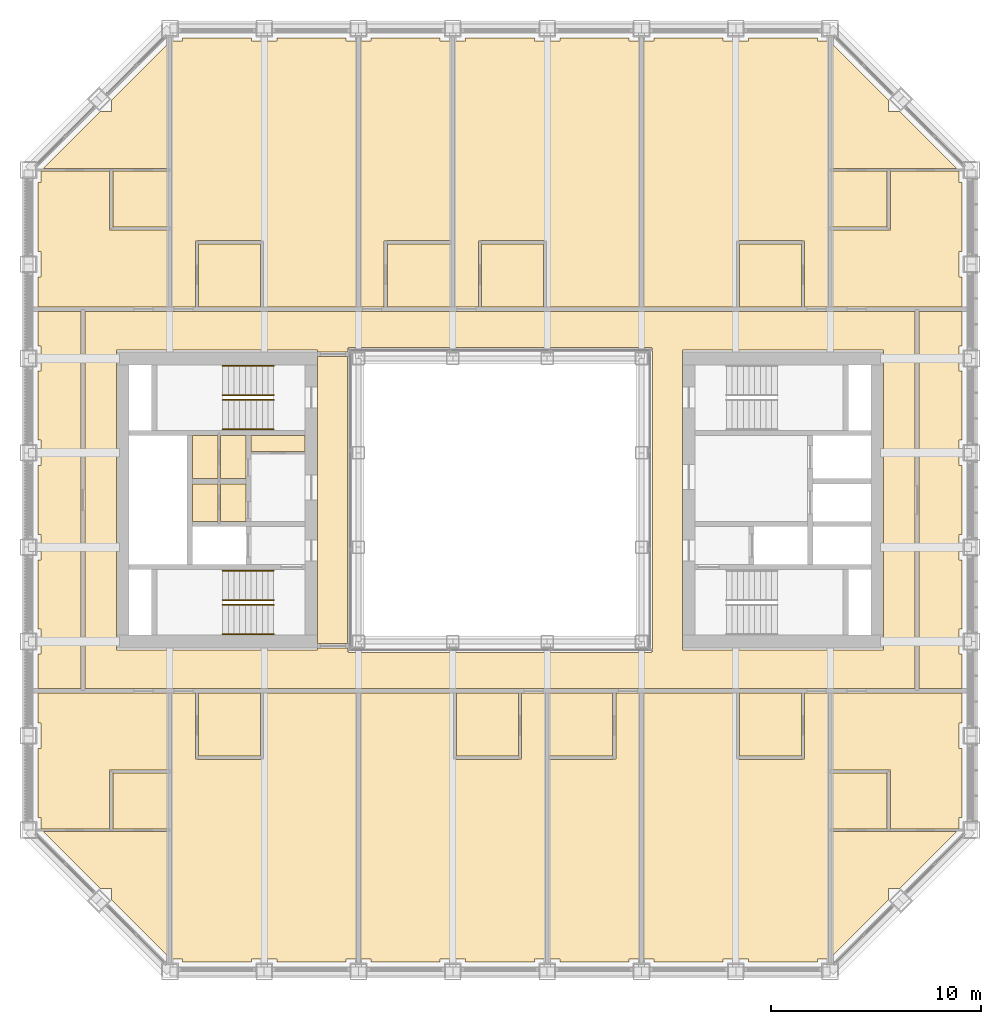
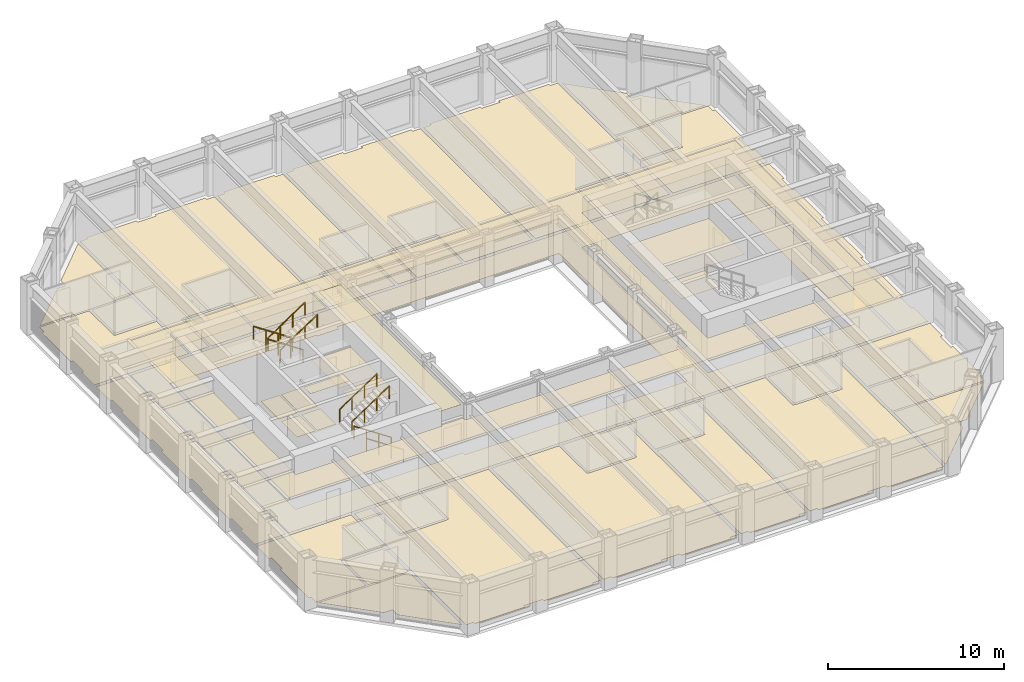
# One storey, part 15 of 17: 8 railings, 6 coverings.
"""IFC4 building model written with IfcOpenShell, lengths in metres."""

from ifc_helpers import new_model, si_unit, direction, frame, origin, origin_2d, place, context, subcontext, project, spatial, line, indexed_curve, circle, outline, extrude, material, layer, layer_set, type_object, element, save


model = new_model("IFC4")

# Units and contexts
model_context = context("Model", 3, precision=1e-05, world=origin(), true_north=direction((0.0, 1.0)))
body_context = subcontext(model_context, "Body", "Model", "MODEL_VIEW")
ifc_project = project(units=[si_unit("LENGTHUNIT", "METRE"), si_unit("AREAUNIT", "SQUARE_METRE"), si_unit("VOLUMEUNIT", "CUBIC_METRE"), si_unit("PLANEANGLEUNIT", "RADIAN"), si_unit("MASSUNIT", "GRAM", prefix="KILO")], contexts=[model_context])

# Site, building, storey
site_placement = place(None, origin())
site = spatial("IfcSite", under=ifc_project, at=site_placement, CompositionType="ELEMENT")
building_placement = place(site_placement, origin())
building = spatial("IfcBuilding", under=site, at=building_placement, Name="Msasa Ring Tower", CompositionType="ELEMENT")
storey_placement = place(building_placement, frame((0.0, 0.0, 161.60009765625)))
storey = spatial("IfcBuildingStorey", under=building, at=storey_placement, Name="L42", CompositionType="ELEMENT", Elevation=161.60009765625)

# Coverings
ifc_material_1 = material(Name="Gypsum plasterboard on a steel suspension grid", Category="steel")
ifc_layer_1 = layer(ifc_material_1, 0.014892578125)
ifc_layer_set_1 = layer_set([ifc_layer_1], Name="C1 SUSPENDED PLASTERBOARD CEILING 15")
covering_type_1 = type_object("IfcCoveringType", Name="C1 SUSPENDED PLASTERBOARD CEILING 15", PredefinedType="CEILING", material=ifc_layer_set_1)
covering_1_placement = place(storey_placement, frame((0.0, 0.0, 2.39990234375)))
element("IfcCovering", 1, at=covering_1_placement, inside=storey, type_object=covering_type_1, Name="Suspended Plasterboard Ceiling 15 circulation L42", PredefinedType="CEILING", context=body_context, shape_type="SweptSolid", body=[
    extrude(outline(indexed_curve([(-19.799560546875, -8.99951171875), (-19.799560546875, 8.99951171875), (19.799560546875, 8.99951171875), (19.799560546875, -8.99951171875)], segments=[line(1, 2, 3, 4, 1)], self_intersect=False), holes=[indexed_curve([(18.300537109375, -7.150390625), (18.300537109375, 7.150390625), (8.699462890625, 7.150390625), (8.699462890625, -7.150390625)], segments=[line(1, 2, 3, 4, 1)], self_intersect=False), indexed_curve([(-8.699462890625, 7.150390625), (-18.300537109375, 7.150390625), (-18.300537109375, -7.150390625), (-8.699462890625, -7.150390625), (-8.699462890625, -7.050537109375), (-7.280029296875, -7.050537109375), (-7.280517578125, -7.23046875), (-7.22998046875, -7.23046875), (-7.22998046875, -7.280029296875), (7.22998046875, -7.280029296875), (7.22998046875, -7.23046875), (7.280517578125, -7.23046875), (7.280517578125, 7.23046875), (7.22998046875, 7.23046875), (7.22998046875, 7.280029296875), (-7.22998046875, 7.280029296875), (-7.22998046875, 7.23046875), (-7.280517578125, 7.23046875), (-7.280029296875, 7.050537109375), (-8.699462890625, 7.050537109375)], segments=[line(1, 2, 3, 4, 5, 6, 7, 8, 9, 10, 11, 12, 13, 14, 15, 16, 17, 18, 19, 20, 1)], self_intersect=False)]), origin(), (0.0, 0.0, 1.0), 0.014892578125),
    extrude(outline(indexed_curve([(-9.300537109375, -3.074462890625), (-11.87451171875, -3.074462890625), (-11.87451171875, -1.275390625), (-9.300537109375, -1.275390625)], segments=[line(1, 2, 3, 4, 1)], self_intersect=False)), origin(), (0.0, 0.0, 1.0), 0.014892578125),
    extrude(outline(indexed_curve([(-11.87451171875, -1.0244140625), (-11.87451171875, 2.194580078125), (-9.300537109375, 2.194580078125), (-9.300537109375, -1.0244140625)], segments=[line(1, 2, 3, 4, 1)], self_intersect=False)), origin(), (0.0, 0.0, 1.0), 0.014892578125),
    extrude(outline(indexed_curve([(11.87451171875, -3.074462890625), (9.300537109375, -3.074462890625), (9.300537109375, -1.275390625), (11.87451171875, -1.275390625)], segments=[line(1, 2, 3, 4, 1)], self_intersect=False)), origin(), (0.0, 0.0, 1.0), 0.014892578125),
    extrude(outline(indexed_curve([(9.300537109375, -1.0244140625), (9.300537109375, 3.074462890625), (14.674560546875, 3.074462890625), (14.674560546875, -1.0244140625)], segments=[line(1, 2, 3, 4, 1)], self_intersect=False)), origin(), (0.0, 0.0, 1.0), 0.014892578125),
])
covering_2_placement = place(storey_placement, frame((0.0, 0.0, 3.199951171875)))
element("IfcCovering", 2, at=covering_2_placement, inside=storey, type_object=covering_type_1, Name="Suspended Plasterboard Ceiling 15 public rooms L42", PredefinedType="CEILING", context=body_context, shape_type="SweptSolid", body=[
    extrude(outline(indexed_curve([(-8.699462890625, 6.849609375), (-7.280029296875, 6.849609375), (-7.280029296875, -6.849609375), (-8.699462890625, -6.849609375)], segments=[line(1, 2, 3, 4, 1)], self_intersect=False)), origin(), (0.0, 0.0, 1.0), 0.014892578125),
])
ifc_material_2 = material(Name="Wool-blend carpet on felt underlay", Category="textile")
ifc_layer_2 = layer(ifc_material_2, 0.011962890625)
ifc_layer_set_2 = layer_set([ifc_layer_2], Name="F2 CARPET ON UNDERLAY 12")
covering_type_2 = type_object("IfcCoveringType", Name="F2 CARPET ON UNDERLAY 12", PredefinedType="FLOORING", material=ifc_layer_set_2)
covering_3_placement = place(storey_placement, origin())
element("IfcCovering", 3, at=covering_3_placement, inside=storey, type_object=covering_type_2, Name="Carpet On Underlay 12 L42", PredefinedType="FLOORING", context=body_context, shape_type="SweptSolid", body=[
    extrude(outline(indexed_curve([(-22.049560546875, -11.8505859375), (-21.8994140625, -11.8505859375), (-21.8994140625, -10.6494140625), (-22.049560546875, -10.6494140625), (-22.049560546875, -9.200439453125), (-15.8505859375, -9.200439453125), (-15.8505859375, -12.869384765625), (-18.630615234375, -12.869384765625), (-18.630615234375, -15.694580078125), (-21.8994140625, -15.694580078125), (-21.8994140625, -15.1494140625), (-22.049560546875, -15.1494140625)], segments=[line(1, 2, 3, 4, 5, 6, 7, 8, 9, 10, 11, 12, 1)], self_intersect=False)), origin(), (0.0, 0.0, 1.0), 0.011962890625),
    extrude(outline(indexed_curve([(-15.8505859375, 9.200439453125), (-22.049560546875, 9.200439453125), (-22.049560546875, 10.6494140625), (-21.8994140625, 10.6494140625), (-21.8994140625, 11.8505859375), (-22.049560546875, 11.8505859375), (-22.049560546875, 15.1494140625), (-21.8994140625, 15.1494140625), (-21.8994140625, 15.694580078125), (-18.630615234375, 15.694580078125), (-18.630615234375, 12.869384765625), (-15.8505859375, 12.869384765625)], segments=[line(1, 2, 3, 4, 5, 6, 7, 8, 9, 10, 11, 12, 1)], self_intersect=False)), origin(), (0.0, 0.0, 1.0), 0.011962890625),
    extrude(outline(indexed_curve([(-15.8505859375, -15.805419921875), (-15.8505859375, -21.762451171875), (-18.5244140625, -19.08837890625), (-18.5244140625, -18.5244140625), (-19.08837890625, -18.5244140625), (-21.807373046875, -15.805419921875)], segments=[line(1, 2, 3, 4, 5, 6, 1)], self_intersect=False)), origin(), (0.0, 0.0, 1.0), 0.011962890625),
    extrude(outline(indexed_curve([(-15.8505859375, 15.805419921875), (-21.807373046875, 15.805419921875), (-19.08837890625, 18.5244140625), (-18.5244140625, 18.5244140625), (-18.5244140625, 19.08837890625), (-15.8505859375, 21.762451171875)], segments=[line(1, 2, 3, 4, 5, 6, 1)], self_intersect=False)), origin(), (0.0, 0.0, 1.0), 0.011962890625),
    extrude(outline(indexed_curve([(-19.799560546875, -8.99951171875), (-19.799560546875, 8.99951171875), (19.799560546875, 8.99951171875), (19.799560546875, -8.99951171875)], segments=[line(1, 2, 3, 4, 1)], self_intersect=False), holes=[indexed_curve([(8.699462890625, -7.150390625), (18.300537109375, -7.150390625), (18.300537109375, 7.150390625), (8.699462890625, 7.150390625)], segments=[line(1, 2, 3, 4, 1)], self_intersect=False), indexed_curve([(-8.699462890625, 7.150390625), (-18.300537109375, 7.150390625), (-18.300537109375, -7.150390625), (-8.699462890625, -7.150390625), (-8.699462890625, -7.050537109375), (-7.280029296875, -7.050537109375), (-7.280517578125, -7.23046875), (-7.22998046875, -7.23046875), (-7.22998046875, -7.280029296875), (7.22998046875, -7.280029296875), (7.22998046875, -7.23046875), (7.280517578125, -7.23046875), (7.280517578125, 7.23046875), (7.22998046875, 7.23046875), (7.22998046875, 7.280029296875), (-7.22998046875, 7.280029296875), (-7.22998046875, 7.23046875), (-7.280517578125, 7.23046875), (-7.280029296875, 7.050537109375), (-8.699462890625, 7.050537109375)], segments=[line(1, 2, 3, 4, 5, 6, 7, 8, 9, 10, 11, 12, 13, 14, 15, 16, 17, 18, 19, 20, 1)], self_intersect=False)]), origin(), (0.0, 0.0, 1.0), 0.011962890625),
    extrude(outline(indexed_curve([(-13.45556640625, -1.0244140625), (-14.674560546875, -1.0244140625), (-14.674560546875, 0.7744140625), (-13.45556640625, 0.7744140625)], segments=[line(1, 2, 3, 4, 1)], self_intersect=False)), origin(), (0.0, 0.0, 1.0), 0.011962890625),
    extrude(outline(indexed_curve([(-13.45556640625, 3.074462890625), (-13.45556640625, 1.025390625), (-14.674560546875, 1.025390625), (-14.674560546875, 3.074462890625)], segments=[line(1, 2, 3, 4, 1)], self_intersect=False)), origin(), (0.0, 0.0, 1.0), 0.011962890625),
    extrude(outline(indexed_curve([(-12.12548828125, -1.0244140625), (-13.344482421875, -1.0244140625), (-13.344482421875, 0.7744140625), (-12.12548828125, 0.7744140625)], segments=[line(1, 2, 3, 4, 1)], self_intersect=False)), origin(), (0.0, 0.0, 1.0), 0.011962890625),
    extrude(outline(indexed_curve([(-12.12548828125, 3.074462890625), (-12.12548828125, 1.025390625), (-13.344482421875, 1.025390625), (-13.344482421875, 3.074462890625)], segments=[line(1, 2, 3, 4, 1)], self_intersect=False)), origin(), (0.0, 0.0, 1.0), 0.011962890625),
    extrude(outline(indexed_curve([(-9.300537109375, 3.074462890625), (-9.300537109375, 2.305419921875), (-11.87451171875, 2.305419921875), (-11.87451171875, 3.074462890625)], segments=[line(1, 2, 3, 4, 1)], self_intersect=False)), origin(), (0.0, 0.0, 1.0), 0.011962890625),
    extrude(outline(indexed_curve([(-6.6494140625, 21.8994140625), (-6.1494140625, 21.8994140625), (-6.1494140625, 22.049560546875), (-2.8505859375, 22.049560546875), (-2.8505859375, 21.8994140625), (-2.3505859375, 21.8994140625), (-2.3505859375, 12.37548828125), (-5.39990234375, 12.37548828125), (-5.39990234375, 12.3505859375), (-5.525390625, 12.35009765625), (-5.525390625, 9.200439453125), (-6.6494140625, 9.200439453125)], segments=[line(1, 2, 3, 4, 5, 6, 7, 8, 9, 10, 11, 12, 1)], self_intersect=False)), origin(), (0.0, 0.0, 1.0), 0.011962890625),
    extrude(outline(indexed_curve([(6.6494140625, -21.8994140625), (6.1494140625, -21.8994140625), (6.1494140625, -22.049560546875), (2.8505859375, -22.049560546875), (2.8505859375, -21.8994140625), (2.3505859375, -21.8994140625), (2.3505859375, -12.37548828125), (5.39990234375, -12.37548828125), (5.39990234375, -12.3505859375), (5.525390625, -12.35009765625), (5.525390625, -9.200439453125), (6.6494140625, -9.200439453125)], segments=[line(1, 2, 3, 4, 5, 6, 7, 8, 9, 10, 11, 12, 1)], self_intersect=False)), origin(), (0.0, 0.0, 1.0), 0.011962890625),
    extrude(outline(indexed_curve([(15.8505859375, -15.805419921875), (21.807373046875, -15.805419921875), (19.08837890625, -18.5244140625), (18.5244140625, -18.5244140625), (18.5244140625, -19.08837890625), (15.8505859375, -21.762451171875)], segments=[line(1, 2, 3, 4, 5, 6, 1)], self_intersect=False)), origin(), (0.0, 0.0, 1.0), 0.011962890625),
    extrude(outline(indexed_curve([(15.8505859375, -9.200439453125), (22.049560546875, -9.200439453125), (22.049560546875, -10.6494140625), (21.8994140625, -10.6494140625), (21.8994140625, -11.8505859375), (22.049560546875, -11.8505859375), (22.049560546875, -15.1494140625), (21.8994140625, -15.1494140625), (21.8994140625, -15.694580078125), (18.630615234375, -15.694580078125), (18.630615234375, -12.869384765625), (15.8505859375, -12.869384765625)], segments=[line(1, 2, 3, 4, 5, 6, 7, 8, 9, 10, 11, 12, 1)], self_intersect=False)), origin(), (0.0, 0.0, 1.0), 0.011962890625),
    extrude(outline(indexed_curve([(22.049560546875, 11.8505859375), (21.8994140625, 11.8505859375), (21.8994140625, 10.6494140625), (22.049560546875, 10.6494140625), (22.049560546875, 9.200439453125), (15.8505859375, 9.200439453125), (15.8505859375, 12.869384765625), (18.630615234375, 12.869384765625), (18.630615234375, 15.694580078125), (21.8994140625, 15.694580078125), (21.8994140625, 15.1494140625), (22.049560546875, 15.1494140625)], segments=[line(1, 2, 3, 4, 5, 6, 7, 8, 9, 10, 11, 12, 1)], self_intersect=False)), origin(), (0.0, 0.0, 1.0), 0.011962890625),
    extrude(outline(indexed_curve([(15.8505859375, 15.805419921875), (15.8505859375, 21.762451171875), (18.5244140625, 19.08837890625), (18.5244140625, 18.5244140625), (19.08837890625, 18.5244140625), (21.807373046875, 15.805419921875)], segments=[line(1, 2, 3, 4, 5, 6, 1)], self_intersect=False)), origin(), (0.0, 0.0, 1.0), 0.011962890625),
])
ifc_material_3 = material(Name="Engineered oak boards on an acoustic underlay", Category="wood")
ifc_layer_3 = layer(ifc_material_3, 0.01806640625)
ifc_layer_set_3 = layer_set([ifc_layer_3], Name="F3 ENGINEERED TIMBER ON ACOUSTIC UNDERLAY 18")
covering_type_3 = type_object("IfcCoveringType", Name="F3 ENGINEERED TIMBER ON ACOUSTIC UNDERLAY 18", PredefinedType="FLOORING", material=ifc_layer_set_3)
covering_4_placement = place(storey_placement, origin())
element("IfcCovering", 4, at=covering_4_placement, inside=storey, type_object=covering_type_3, Name="Engineered Timber On Acoustic Underlay 18 L42", PredefinedType="FLOORING", context=body_context, shape_type="SweptSolid", body=[
    extrude(outline(indexed_curve([(-14.525390625, -9.200439453125), (-14.525390625, -12.35009765625), (-14.39990234375, -12.3505859375), (-14.39990234375, -12.37548828125), (-11.39990234375, -12.37548828125), (-11.39990234375, -12.3505859375), (-11.2744140625, -12.35009765625), (-11.2744140625, -9.200439453125), (-6.8505859375, -9.200439453125), (-6.8505859375, -21.8994140625), (-7.3505859375, -21.8994140625), (-7.3505859375, -22.049560546875), (-10.6494140625, -22.049560546875), (-10.6494140625, -21.8994140625), (-11.8505859375, -21.8994140625), (-11.8505859375, -22.049560546875), (-15.1494140625, -22.049560546875), (-15.1494140625, -21.8994140625), (-15.6494140625, -21.8994140625), (-15.6494140625, -9.200439453125)], segments=[line(1, 2, 3, 4, 5, 6, 7, 8, 9, 10, 11, 12, 13, 14, 15, 16, 17, 18, 19, 20, 1)], self_intersect=False)), origin(), (0.0, 0.0, 1.0), 0.017822265625),
    extrude(outline(indexed_curve([(-11.2744140625, 9.200439453125), (-11.2744140625, 12.35009765625), (-11.39990234375, 12.3505859375), (-11.39990234375, 12.37548828125), (-14.39990234375, 12.37548828125), (-14.39990234375, 12.3505859375), (-14.525390625, 12.35009765625), (-14.525390625, 9.200439453125), (-15.6494140625, 9.200439453125), (-15.6494140625, 21.8994140625), (-15.1494140625, 21.8994140625), (-15.1494140625, 22.049560546875), (-11.8505859375, 22.049560546875), (-11.8505859375, 21.8994140625), (-10.6494140625, 21.8994140625), (-10.6494140625, 22.049560546875), (-7.3505859375, 22.049560546875), (-7.3505859375, 21.8994140625), (-6.8505859375, 21.8994140625), (-6.8505859375, 9.200439453125)], segments=[line(1, 2, 3, 4, 5, 6, 7, 8, 9, 10, 11, 12, 13, 14, 15, 16, 17, 18, 19, 20, 1)], self_intersect=False)), origin(), (0.0, 0.0, 1.0), 0.017822265625),
    extrude(outline(indexed_curve([(-2.10009765625, -12.3505859375), (-2.10009765625, -12.37548828125), (0.89990234375, -12.37548828125), (0.89990234375, -12.3505859375), (1.025390625, -12.35009765625), (1.025390625, -9.200439453125), (2.1494140625, -9.200439453125), (2.1494140625, -21.8994140625), (1.6494140625, -21.8994140625), (1.6494140625, -22.049560546875), (-1.6494140625, -22.049560546875), (-1.6494140625, -21.8994140625), (-2.8505859375, -21.8994140625), (-2.8505859375, -22.049560546875), (-6.1494140625, -22.049560546875), (-6.1494140625, -21.8994140625), (-6.6494140625, -21.8994140625), (-6.6494140625, -9.200439453125), (-2.2255859375, -9.200439453125), (-2.2255859375, -12.35009765625)], segments=[line(1, 2, 3, 4, 5, 6, 7, 8, 9, 10, 11, 12, 13, 14, 15, 16, 17, 18, 19, 20, 1)], self_intersect=False)), origin(), (0.0, 0.0, 1.0), 0.017822265625),
    extrude(outline(indexed_curve([(2.10009765625, 12.3505859375), (2.10009765625, 12.37548828125), (-0.89990234375, 12.37548828125), (-0.89990234375, 12.3505859375), (-1.025390625, 12.35009765625), (-1.025390625, 9.200439453125), (-2.1494140625, 9.200439453125), (-2.1494140625, 21.8994140625), (-1.6494140625, 21.8994140625), (-1.6494140625, 22.049560546875), (1.6494140625, 22.049560546875), (1.6494140625, 21.8994140625), (2.8505859375, 21.8994140625), (2.8505859375, 22.049560546875), (6.1494140625, 22.049560546875), (6.1494140625, 21.8994140625), (6.6494140625, 21.8994140625), (6.6494140625, 9.200439453125), (2.2255859375, 9.200439453125), (2.2255859375, 12.35009765625)], segments=[line(1, 2, 3, 4, 5, 6, 7, 8, 9, 10, 11, 12, 13, 14, 15, 16, 17, 18, 19, 20, 1)], self_intersect=False)), origin(), (0.0, 0.0, 1.0), 0.017822265625),
    extrude(outline(indexed_curve([(11.2744140625, -12.35009765625), (11.39990234375, -12.3505859375), (11.39990234375, -12.37548828125), (14.39990234375, -12.37548828125), (14.39990234375, -12.3505859375), (14.525390625, -12.35009765625), (14.525390625, -9.200439453125), (15.6494140625, -9.200439453125), (15.6494140625, -21.8994140625), (15.1494140625, -21.8994140625), (15.1494140625, -22.049560546875), (11.8505859375, -22.049560546875), (11.8505859375, -21.8994140625), (10.6494140625, -21.8994140625), (10.6494140625, -22.049560546875), (7.3505859375, -22.049560546875), (7.3505859375, -21.8994140625), (6.8505859375, -21.8994140625), (6.8505859375, -9.200439453125), (11.2744140625, -9.200439453125)], segments=[line(1, 2, 3, 4, 5, 6, 7, 8, 9, 10, 11, 12, 13, 14, 15, 16, 17, 18, 19, 20, 1)], self_intersect=False)), origin(), (0.0, 0.0, 1.0), 0.017822265625),
    extrude(outline(indexed_curve([(14.525390625, 12.35009765625), (14.39990234375, 12.3505859375), (14.39990234375, 12.37548828125), (11.39990234375, 12.37548828125), (11.39990234375, 12.3505859375), (11.2744140625, 12.35009765625), (11.2744140625, 9.200439453125), (6.8505859375, 9.200439453125), (6.8505859375, 21.8994140625), (7.3505859375, 21.8994140625), (7.3505859375, 22.049560546875), (10.6494140625, 22.049560546875), (10.6494140625, 21.8994140625), (11.8505859375, 21.8994140625), (11.8505859375, 22.049560546875), (15.1494140625, 22.049560546875), (15.1494140625, 21.8994140625), (15.6494140625, 21.8994140625), (15.6494140625, 9.200439453125), (14.525390625, 9.200439453125)], segments=[line(1, 2, 3, 4, 5, 6, 7, 8, 9, 10, 11, 12, 13, 14, 15, 16, 17, 18, 19, 20, 1)], self_intersect=False)), origin(), (0.0, 0.0, 1.0), 0.017822265625),
])
ifc_material_4 = material(Name="Porcelain floor tiles in adhesive", Category="ceramic")
ifc_layer_4 = layer(ifc_material_4, 0.010009765625)
ifc_layer_set_4 = layer_set([ifc_layer_4], Name="F4 PORCELAIN TILE ON ADHESIVE 10")
covering_type_4 = type_object("IfcCoveringType", Name="F4 PORCELAIN TILE ON ADHESIVE 10", PredefinedType="FLOORING", material=ifc_layer_set_4)
covering_5_placement = place(storey_placement, origin())
element("IfcCovering", 5, at=covering_5_placement, inside=storey, type_object=covering_type_4, Name="Porcelain Tile On Adhesive 10 L42", PredefinedType="FLOORING", context=body_context, shape_type="SweptSolid", body=[
    extrude(outline(indexed_curve([(-18.469482421875, -13.030517578125), (-15.8505859375, -13.030517578125), (-15.8505859375, -15.694580078125), (-18.469482421875, -15.694580078125)], segments=[line(1, 2, 3, 4, 1)], self_intersect=False)), origin(), (0.0, 0.0, 1.0), 0.010009765625),
    extrude(outline(indexed_curve([(-15.8505859375, 15.694580078125), (-15.8505859375, 13.030517578125), (-18.469482421875, 13.030517578125), (-18.469482421875, 15.694580078125)], segments=[line(1, 2, 3, 4, 1)], self_intersect=False)), origin(), (0.0, 0.0, 1.0), 0.010009765625),
    extrude(outline(indexed_curve([(-11.425537109375, -9.200439453125), (-11.425537109375, -12.224609375), (-14.37451171875, -12.224609375), (-14.37451171875, -9.200439453125)], segments=[line(1, 2, 3, 4, 1)], self_intersect=False)), origin(), (0.0, 0.0, 1.0), 0.010009765625),
    extrude(outline(indexed_curve([(-14.37451171875, 9.200439453125), (-14.37451171875, 12.224609375), (-11.425537109375, 12.224609375), (-11.425537109375, 9.200439453125)], segments=[line(1, 2, 3, 4, 1)], self_intersect=False)), origin(), (0.0, 0.0, 1.0), 0.010009765625),
    extrude(outline(indexed_curve([(-2.3505859375, 9.200439453125), (-5.37451171875, 9.200439453125), (-5.37451171875, 12.224609375), (-2.3505859375, 12.224609375)], segments=[line(1, 2, 3, 4, 1)], self_intersect=False)), origin(), (0.0, 0.0, 1.0), 0.010009765625),
    extrude(outline(indexed_curve([(0.87451171875, -9.200439453125), (0.87451171875, -12.224609375), (-2.074462890625, -12.224609375), (-2.074462890625, -9.200439453125)], segments=[line(1, 2, 3, 4, 1)], self_intersect=False)), origin(), (0.0, 0.0, 1.0), 0.010009765625),
    extrude(outline(indexed_curve([(-0.87451171875, 9.200439453125), (-0.87451171875, 12.224609375), (2.074462890625, 12.224609375), (2.074462890625, 9.200439453125)], segments=[line(1, 2, 3, 4, 1)], self_intersect=False)), origin(), (0.0, 0.0, 1.0), 0.010009765625),
    extrude(outline(indexed_curve([(5.37451171875, -9.200439453125), (5.37451171875, -12.224609375), (2.3505859375, -12.224609375), (2.3505859375, -9.200439453125)], segments=[line(1, 2, 3, 4, 1)], self_intersect=False)), origin(), (0.0, 0.0, 1.0), 0.010009765625),
    extrude(outline(indexed_curve([(14.37451171875, -9.200439453125), (14.37451171875, -12.224609375), (11.425537109375, -12.224609375), (11.425537109375, -9.200439453125)], segments=[line(1, 2, 3, 4, 1)], self_intersect=False)), origin(), (0.0, 0.0, 1.0), 0.010009765625),
    extrude(outline(indexed_curve([(11.425537109375, 9.200439453125), (11.425537109375, 12.224609375), (14.37451171875, 12.224609375), (14.37451171875, 9.200439453125)], segments=[line(1, 2, 3, 4, 1)], self_intersect=False)), origin(), (0.0, 0.0, 1.0), 0.010009765625),
    extrude(outline(indexed_curve([(15.8505859375, -13.030517578125), (18.469482421875, -13.030517578125), (18.469482421875, -15.694580078125), (15.8505859375, -15.694580078125)], segments=[line(1, 2, 3, 4, 1)], self_intersect=False)), origin(), (0.0, 0.0, 1.0), 0.010009765625),
    extrude(outline(indexed_curve([(18.469482421875, 15.694580078125), (18.469482421875, 13.030517578125), (15.8505859375, 13.030517578125), (15.8505859375, 15.694580078125)], segments=[line(1, 2, 3, 4, 1)], self_intersect=False)), origin(), (0.0, 0.0, 1.0), 0.010009765625),
])
ifc_material_5 = material(Name="Welded vinyl safety sheet flooring", Category="vinyl")
ifc_layer_5 = layer(ifc_material_5, 0.0029296875)
ifc_layer_set_5 = layer_set([ifc_layer_5], Name="F5 RESILIENT SHEET FLOORING 3")
covering_type_5 = type_object("IfcCoveringType", Name="F5 RESILIENT SHEET FLOORING 3", PredefinedType="FLOORING", material=ifc_layer_set_5)
covering_6_placement = place(storey_placement, origin())
element("IfcCovering", 6, at=covering_6_placement, inside=storey, type_object=covering_type_5, Name="Resilient Sheet Flooring 3 L42", PredefinedType="FLOORING", context=body_context, shape_type="SweptSolid", body=[
    extrude(outline(indexed_curve([(-22.049560546875, -7.3505859375), (-21.8994140625, -7.3505859375), (-21.8994140625, -6.1494140625), (-22.049560546875, -6.1494140625), (-22.049560546875, -2.8505859375), (-21.8994140625, -2.8505859375), (-21.8994140625, -1.6494140625), (-22.049560546875, -1.6494140625), (-22.049560546875, 1.6494140625), (-21.8994140625, 1.6494140625), (-21.8994140625, 2.8505859375), (-22.049560546875, 2.8505859375), (-22.049560546875, 6.1494140625), (-21.8994140625, 6.1494140625), (-21.8994140625, 7.3505859375), (-22.049560546875, 7.3505859375), (-22.049560546875, 8.99951171875), (-20.00048828125, 8.99951171875), (-20.00048828125, -8.99951171875), (-22.049560546875, -8.99951171875)], segments=[line(1, 2, 3, 4, 5, 6, 7, 8, 9, 10, 11, 12, 13, 14, 15, 16, 17, 18, 19, 20, 1)], self_intersect=False)), origin(), (0.0, 0.0, 1.0), 0.0029296875),
    extrude(outline(indexed_curve([(22.049560546875, 8.99951171875), (22.049560546875, 7.3505859375), (21.8994140625, 7.3505859375), (21.8994140625, 6.1494140625), (22.049560546875, 6.1494140625), (22.049560546875, 2.8505859375), (21.8994140625, 2.8505859375), (21.8994140625, 1.6494140625), (22.049560546875, 1.6494140625), (22.049560546875, -1.6494140625), (21.8994140625, -1.6494140625), (21.8994140625, -2.8505859375), (22.049560546875, -2.8505859375), (22.049560546875, -6.1494140625), (21.8994140625, -6.1494140625), (21.8994140625, -7.3505859375), (22.049560546875, -7.3505859375), (22.049560546875, -8.99951171875), (20.00048828125, -8.99951171875), (20.00048828125, 8.99951171875)], segments=[line(1, 2, 3, 4, 5, 6, 7, 8, 9, 10, 11, 12, 13, 14, 15, 16, 17, 18, 19, 20, 1)], self_intersect=False)), origin(), (0.0, 0.0, 1.0), 0.0029296875),
])

# Railings
ifc_material_6 = material(Name="Stainless steel", Category="steel")
railing_type = type_object("IfcRailingType", Name="HR1 HANDRAIL 900", PredefinedType="HANDRAIL", material=ifc_material_6)
for number, where, name in (
    (7, (-10.800048828125, -6.39990234375, 0.179931640625), "Handrail stair SWA L42 1"),
    (8, (-10.800048828125, -5.0, 0.179931640625), "Handrail stair SWA L42 2"),
):
    element("IfcRailing", number, at=place(storey_placement, frame(where)), inside=storey, type_object=railing_type, Name=name, PredefinedType="HANDRAIL", context=body_context, shape_type="SweptSolid", body=[
        extrude(circle(Radius=0.02392578125, at=origin_2d()), frame((0.0, 0.0, 0.8759765625), z_axis=(-0.832063155534, 0.0, 0.554680903946), x_axis=(0.0, -1.0, 0.0)), (0.0, 0.0, 1.0), 2.92041015625),
        extrude(circle(Radius=0.02099609375, at=origin_2d()), origin(), (0.0, 0.0, 1.0), 0.851806640625),
        extrude(circle(Radius=0.02099609375, at=origin_2d()), frame((-0.81005859375, 0.0, 0.5400390625)), (0.0, 0.0, 1.0), 0.851806640625),
        extrude(circle(Radius=0.02099609375, at=origin_2d()), frame((-1.619873046875, 0.0, 1.079833984375)), (0.0, 0.0, 1.0), 0.851806640625),
        extrude(circle(Radius=0.02099609375, at=origin_2d()), frame((-2.429931640625, 0.0, 1.619873046875)), (0.0, 0.0, 1.0), 0.851806640625),
    ])
for number, where, name in (
    (9, (-13.22998046875, -4.77490234375, 1.97998046875), "Handrail stair SWA L42 3"),
    (10, (-13.22998046875, -3.375, 1.97998046875), "Handrail stair SWA L42 4"),
):
    element("IfcRailing", number, at=place(storey_placement, frame(where)), inside=storey, type_object=railing_type, Name=name, PredefinedType="HANDRAIL", context=body_context, shape_type="SweptSolid", body=[
        extrude(circle(Radius=0.02392578125, at=origin_2d()), frame((0.0, 0.0, 0.8759765625), z_axis=(0.832063155534, 0.0, 0.554680903946), x_axis=(0.0, 1.0, 0.0)), (0.0, 0.0, 1.0), 2.92041015625),
        extrude(circle(Radius=0.02099609375, at=origin_2d()), origin(), (0.0, 0.0, 1.0), 0.851806640625),
        extrude(circle(Radius=0.02099609375, at=origin_2d()), frame((0.81005859375, 0.0, 0.5400390625)), (0.0, 0.0, 1.0), 0.851806640625),
        extrude(circle(Radius=0.02099609375, at=origin_2d()), frame((1.619873046875, 0.0, 1.079833984375)), (0.0, 0.0, 1.0), 0.851806640625),
        extrude(circle(Radius=0.02099609375, at=origin_2d()), frame((2.429931640625, 0.0, 1.619873046875)), (0.0, 0.0, 1.0), 0.851806640625),
    ])
for number, where, name in (
    (11, (-10.800048828125, 5.0, 0.179931640625), "Handrail stair SWB L42 1"),
    (12, (-10.800048828125, 6.39990234375, 0.179931640625), "Handrail stair SWB L42 2"),
):
    element("IfcRailing", number, at=place(storey_placement, frame(where)), inside=storey, type_object=railing_type, Name=name, PredefinedType="HANDRAIL", context=body_context, shape_type="SweptSolid", body=[
        extrude(circle(Radius=0.02392578125, at=origin_2d()), frame((0.0, 0.0, 0.8759765625), z_axis=(-0.832063155534, 0.0, 0.554680903946), x_axis=(0.0, -1.0, 0.0)), (0.0, 0.0, 1.0), 2.92041015625),
        extrude(circle(Radius=0.02099609375, at=origin_2d()), origin(), (0.0, 0.0, 1.0), 0.851806640625),
        extrude(circle(Radius=0.02099609375, at=origin_2d()), frame((-0.81005859375, 0.0, 0.5400390625)), (0.0, 0.0, 1.0), 0.851806640625),
        extrude(circle(Radius=0.02099609375, at=origin_2d()), frame((-1.619873046875, 0.0, 1.079833984375)), (0.0, 0.0, 1.0), 0.851806640625),
        extrude(circle(Radius=0.02099609375, at=origin_2d()), frame((-2.429931640625, 0.0, 1.619873046875)), (0.0, 0.0, 1.0), 0.851806640625),
    ])
for number, where, name in (
    (13, (-13.22998046875, 3.375, 1.97998046875), "Handrail stair SWB L42 3"),
    (14, (-13.22998046875, 4.77490234375, 1.97998046875), "Handrail stair SWB L42 4"),
):
    element("IfcRailing", number, at=place(storey_placement, frame(where)), inside=storey, type_object=railing_type, Name=name, PredefinedType="HANDRAIL", context=body_context, shape_type="SweptSolid", body=[
        extrude(circle(Radius=0.02392578125, at=origin_2d()), frame((0.0, 0.0, 0.8759765625), z_axis=(0.832063155534, 0.0, 0.554680903946), x_axis=(0.0, 1.0, 0.0)), (0.0, 0.0, 1.0), 2.92041015625),
        extrude(circle(Radius=0.02099609375, at=origin_2d()), origin(), (0.0, 0.0, 1.0), 0.851806640625),
        extrude(circle(Radius=0.02099609375, at=origin_2d()), frame((0.81005859375, 0.0, 0.5400390625)), (0.0, 0.0, 1.0), 0.851806640625),
        extrude(circle(Radius=0.02099609375, at=origin_2d()), frame((1.619873046875, 0.0, 1.079833984375)), (0.0, 0.0, 1.0), 0.851806640625),
        extrude(circle(Radius=0.02099609375, at=origin_2d()), frame((2.429931640625, 0.0, 1.619873046875)), (0.0, 0.0, 1.0), 0.851806640625),
    ])

save(model, "model.ifc")
